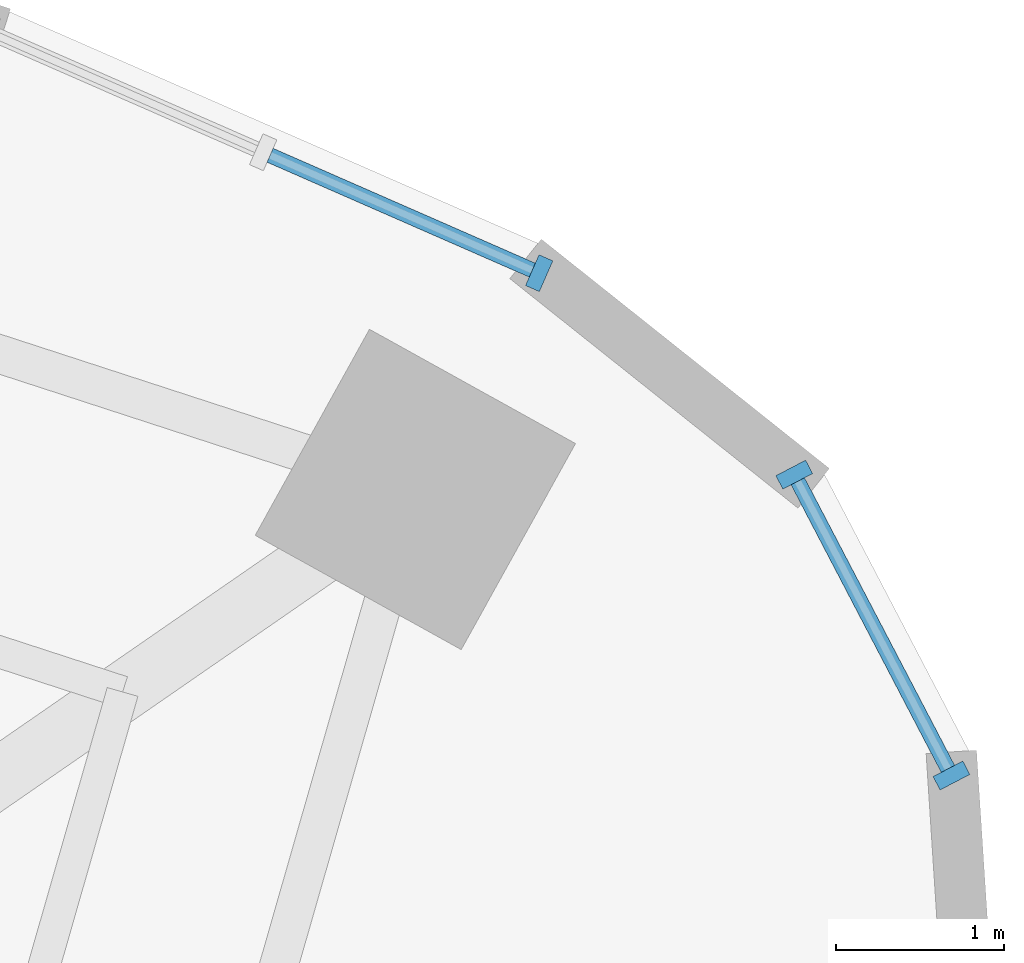
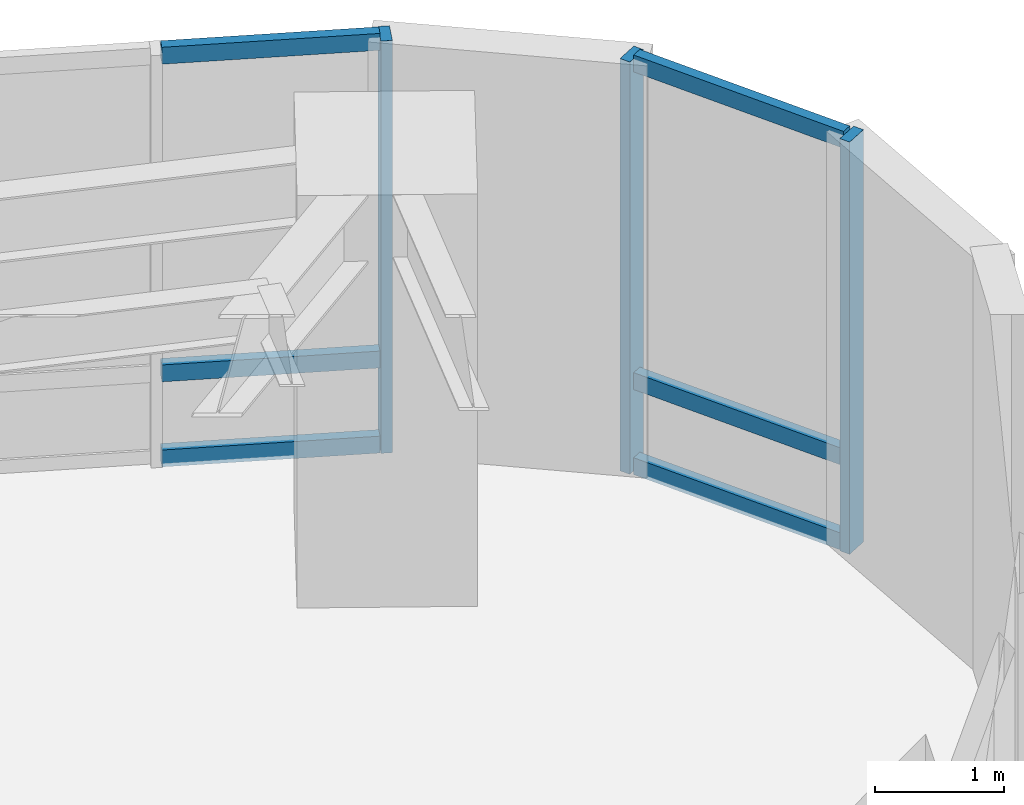
# One storey, part 6 of 15: 9 members, 2 elements without a shape of their own.
"""IFC4 building model written with IfcOpenShell, lengths in metres."""

from ifc_helpers import new_model, si_unit, direction, frame, origin, origin_2d, place, context, subcontext, project, spatial, rectangle, extrude, material, layer, layer_set, material_profile, profile_set, type_object, element, aggregate, save


model = new_model("IFC4")

# Units and contexts
model_context = context("Model", 3, precision=1e-05, world=origin(), true_north=direction((0.0, 1.0)))
body_context = subcontext(model_context, "Body", "Model", "MODEL_VIEW")
ifc_project = project(units=[si_unit("LENGTHUNIT", "METRE"), si_unit("AREAUNIT", "SQUARE_METRE"), si_unit("VOLUMEUNIT", "CUBIC_METRE"), si_unit("PLANEANGLEUNIT", "RADIAN"), si_unit("MASSUNIT", "GRAM", prefix="KILO")], contexts=[model_context])

# Site, building, storey
site_placement = place(None, origin())
site = spatial("IfcSite", under=ifc_project, at=site_placement, CompositionType="ELEMENT")
building_placement = place(site_placement, origin())
building = spatial("IfcBuilding", under=site, at=building_placement, Name="Korentha Bioscience Tower", CompositionType="ELEMENT")
storey_placement = place(building_placement, frame((0.0, 0.0, 34.199951171875)))
storey = spatial("IfcBuildingStorey", under=building, at=storey_placement, Name="L07", CompositionType="ELEMENT", Elevation=34.199951171875)

# Curtain wall, member
ifc_material_1 = material(Name="Thermally Broken Aluminium Frame", Category="aluminium")
ifc_layer = layer(ifc_material_1, 0.219970703125, Name="Thermally Broken Aluminium Frame")
ifc_layer_set = layer_set([ifc_layer], Name="Thermally Broken Aluminium Frame (CW-T1)")
curtain_wall_type = type_object("IfcCurtainWallType", Name="Standard Bioscience Lab Unitised Curtain Wall CW-T1", PredefinedType="USERDEFINED", material=ifc_layer_set)
curtain_wall_1_placement = place(storey_placement, origin())
curtain_wall_1 = element("IfcCurtainWall", 1, at=curtain_wall_1_placement, inside=storey, type_object=curtain_wall_type, Name="L07 Curtain Wall 01", ObjectType="UNITISED", PredefinedType="USERDEFINED")
ifc_material_2 = material(Name="Anodised Aluminium 6063-T6", Category="aluminium")
ifc_material_profile_1 = material_profile(ifc_material_2, rectangle(XDim=0.090087890625, YDim=0.199951171875, at=origin_2d()), Name="Anodised Aluminium 6063-T6")
ifc_profile_set_1 = profile_set([ifc_material_profile_1], Name="Anodised Aluminium 6063-T6 (CW-MUL)")
member_type_1 = type_object("IfcMemberType", Name="Mullion RECT 90x200", PredefinedType="MULLION", material=ifc_profile_set_1)
member_1_placement = place(storey_placement, frame((51.71337890625, 46.420654296875, 0.0), z_axis=(0.0, 0.0, 1.0), x_axis=(-0.91593909057, 0.401317308828, 0.0)))
member_1 = element("IfcMember", 2, at=member_1_placement, type_object=member_type_1, Name="CW-L07-01 Mullion 1", PredefinedType="MULLION", context=body_context, shape_type="SweptSolid", body=[
    extrude(rectangle(XDim=0.090087890625, YDim=0.199951171875, at=origin_2d()), origin(), (0.0, 0.0, 1.0), 3.900146484375),
])

# Curtain wall, members
curtain_wall_2_placement = place(storey_placement, origin())
curtain_wall_2 = element("IfcCurtainWall", 3, at=curtain_wall_2_placement, inside=storey, type_object=curtain_wall_type, Name="L07 Curtain Wall 61", ObjectType="UNITISED", PredefinedType="USERDEFINED")
member_2_placement = place(storey_placement, frame((54.163330078125, 43.435302734375, 0.0), z_axis=(0.0, 0.0, 1.0), x_axis=(-0.463008597697, 0.886353788539, 0.0)))
member_2 = element("IfcMember", 4, at=member_2_placement, type_object=member_type_1, Name="CW-L07-61 Mullion 1", PredefinedType="MULLION", context=body_context, shape_type="SweptSolid", body=[
    extrude(rectangle(XDim=0.090087890625, YDim=0.199951171875, at=origin_2d()), origin(), (0.0, 0.0, 1.0), 3.900146484375),
])
member_3_placement = place(storey_placement, frame((53.22900390625, 45.2236328125, 0.0), z_axis=(0.0, 0.0, 1.0), x_axis=(-0.463008597697, 0.886353788539, 0.0)))
member_3 = element("IfcMember", 5, at=member_3_placement, type_object=member_type_1, Name="CW-L07-61 Mullion 2", PredefinedType="MULLION", context=body_context, shape_type="SweptSolid", body=[
    extrude(rectangle(XDim=0.090087890625, YDim=0.199951171875, at=origin_2d()), origin(), (0.0, 0.0, 1.0), 3.900146484375),
])

# Member
ifc_material_profile_2 = material_profile(ifc_material_2, rectangle(XDim=0.090087890625, YDim=0.159912109375, at=origin_2d()), Name="Anodised Aluminium 6063-T6")
ifc_profile_set_2 = profile_set([ifc_material_profile_2], Name="Anodised Aluminium 6063-T6 (CW-TRN)")
member_type_2 = type_object("IfcMemberType", Name="Transom RECT 90x160", PredefinedType="USERDEFINED", material=ifc_profile_set_2)
member_4_placement = place(storey_placement, frame((51.67236328125, 46.438720703125, 0.045166015625), z_axis=(-0.915976098914, 0.401232832926, 0.0), x_axis=(-0.401232832926, -0.915976098914, 0.0)))
member_4 = element("IfcMember", 6, at=member_4_placement, type_object=member_type_2, Name="CW-L07-01 Bay 1 Transom 1", ObjectType="TRANSOM", PredefinedType="USERDEFINED", context=body_context, shape_type="SweptSolid", body=[
    extrude(rectangle(XDim=0.090087890625, YDim=0.159912109375, at=origin_2d()), origin(), (0.0, 0.0, 1.0), 1.701416015625),
])

member_5_placement = place(storey_placement, frame((51.67236328125, 46.438720703125, 0.85009765625), z_axis=(-0.915976098914, 0.401232832926, 0.0), x_axis=(-0.401232832926, -0.915976098914, 0.0)))
member_5 = element("IfcMember", 7, at=member_5_placement, type_object=member_type_2, Name="CW-L07-01 Bay 1 Transom 2", ObjectType="TRANSOM", PredefinedType="USERDEFINED", context=body_context, shape_type="SweptSolid", body=[
    extrude(rectangle(XDim=0.090087890625, YDim=0.159912109375, at=origin_2d()), origin(), (0.0, 0.0, 1.0), 1.701416015625),
])

member_6_placement = place(storey_placement, frame((51.67236328125, 46.438720703125, 3.85498046875), z_axis=(-0.915976098914, 0.401232832926, 0.0), x_axis=(-0.401232832926, -0.915976098914, 0.0)))
member_6 = element("IfcMember", 8, at=member_6_placement, type_object=member_type_2, Name="CW-L07-01 Bay 1 Transom 3", ObjectType="TRANSOM", PredefinedType="USERDEFINED", context=body_context, shape_type="SweptSolid", body=[
    extrude(rectangle(XDim=0.090087890625, YDim=0.159912109375, at=origin_2d()), origin(), (0.0, 0.0, 1.0), 1.701416015625),
])

aggregate(curtain_wall_1, [member_1, member_4, member_5, member_6])

member_7_placement = place(storey_placement, frame((54.142333984375, 43.47509765625, 0.045166015625), z_axis=(-0.462899248902, 0.886410900974, 0.0), x_axis=(-0.886410900974, -0.462899248902, 0.0)))
member_7 = element("IfcMember", 9, at=member_7_placement, type_object=member_type_2, Name="CW-L07-61 Bay 1 Transom 1", ObjectType="TRANSOM", PredefinedType="USERDEFINED", context=body_context, shape_type="SweptSolid", body=[
    extrude(rectangle(XDim=0.090087890625, YDim=0.159912109375, at=origin_2d()), origin(), (0.0, 0.0, 1.0), 1.927734375),
])

member_8_placement = place(storey_placement, frame((54.142333984375, 43.47509765625, 0.85009765625), z_axis=(-0.462899248902, 0.886410900974, 0.0), x_axis=(-0.886410900974, -0.462899248902, 0.0)))
member_8 = element("IfcMember", 10, at=member_8_placement, type_object=member_type_2, Name="CW-L07-61 Bay 1 Transom 2", ObjectType="TRANSOM", PredefinedType="USERDEFINED", context=body_context, shape_type="SweptSolid", body=[
    extrude(rectangle(XDim=0.090087890625, YDim=0.159912109375, at=origin_2d()), origin(), (0.0, 0.0, 1.0), 1.927734375),
])

member_9_placement = place(storey_placement, frame((54.142333984375, 43.47509765625, 3.85498046875), z_axis=(-0.462899248902, 0.886410900974, 0.0), x_axis=(-0.886410900974, -0.462899248902, 0.0)))
member_9 = element("IfcMember", 11, at=member_9_placement, type_object=member_type_2, Name="CW-L07-61 Bay 1 Transom 3", ObjectType="TRANSOM", PredefinedType="USERDEFINED", context=body_context, shape_type="SweptSolid", body=[
    extrude(rectangle(XDim=0.090087890625, YDim=0.159912109375, at=origin_2d()), origin(), (0.0, 0.0, 1.0), 1.927734375),
])

aggregate(curtain_wall_2, [member_2, member_3, member_7, member_8, member_9])

save(model, "model.ifc")
